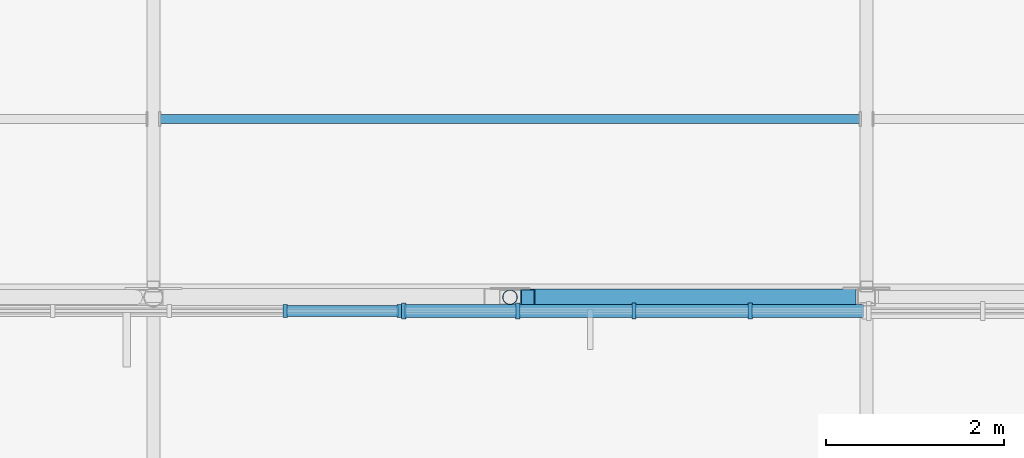
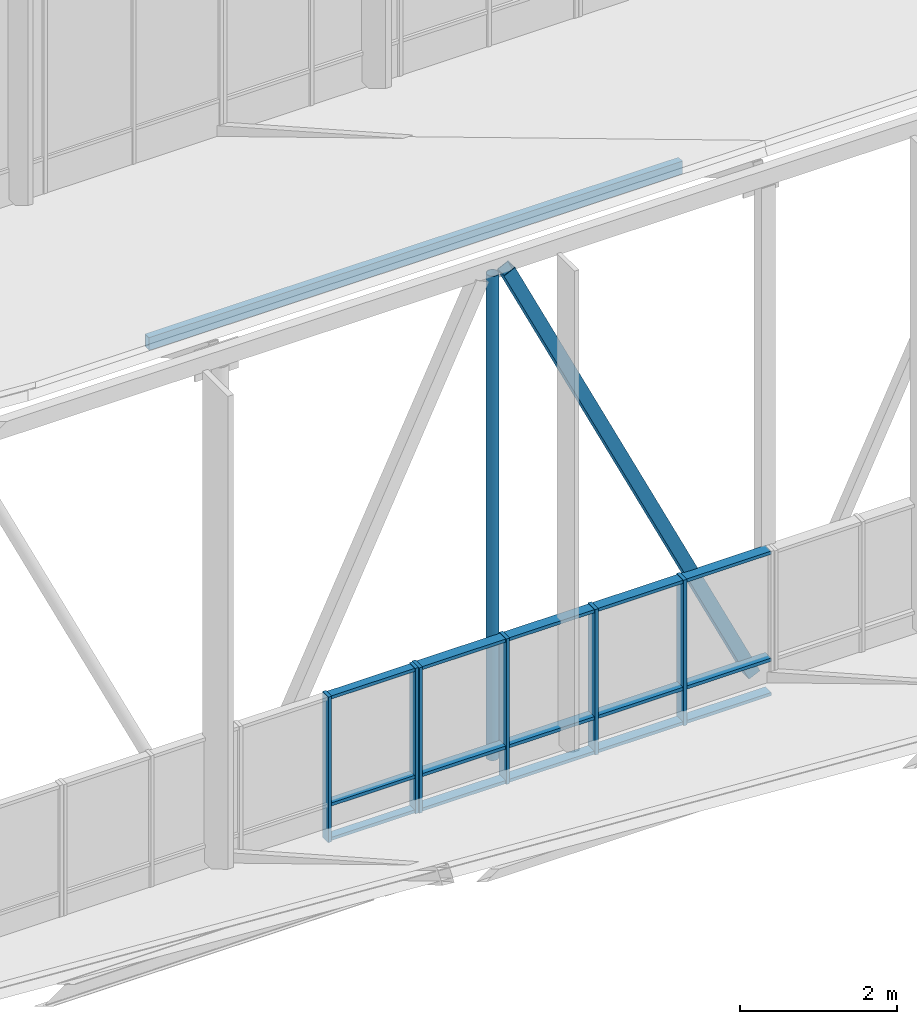
# One storey, part 57 of 155: 24 members, 2 elements without a shape of their own.
"""IFC4 building model written with IfcOpenShell, lengths in metres."""

from ifc_helpers import new_model, si_unit, direction, frame, origin, origin_2d, place, context, subcontext, project, spatial, rectangle, hollow_rectangle, hollow_circle, extrude, material, material_profile, profile_set, type_object, element, aggregate, save


model = new_model("IFC4")

# Units and contexts
model_context = context("Model", 3, precision=1e-05, world=origin(), true_north=direction((0.0, 1.0)))
body_context = subcontext(model_context, "Body", "Model", "MODEL_VIEW")
ifc_project = project(units=[si_unit("LENGTHUNIT", "METRE"), si_unit("AREAUNIT", "SQUARE_METRE"), si_unit("VOLUMEUNIT", "CUBIC_METRE"), si_unit("PLANEANGLEUNIT", "RADIAN"), si_unit("MASSUNIT", "GRAM", prefix="KILO")], contexts=[model_context])

# Site, building, storey
site_placement = place(None, origin())
site = spatial("IfcSite", under=ifc_project, at=site_placement, CompositionType="ELEMENT")
building_placement = place(site_placement, origin())
building = spatial("IfcBuilding", under=site, at=building_placement, Name="Larkveld Mobility Hub", CompositionType="ELEMENT")
storey_placement = place(building_placement, frame((0.0, 0.0, 8.39990234375)))
storey = spatial("IfcBuildingStorey", under=building, at=storey_placement, Name="L02", CompositionType="ELEMENT", Elevation=8.39990234375)

# Curtain wall, members
ifc_material_1 = material(Name="Anodised aluminium 6063-T6", Category="aluminium")
curtain_wall_type_1 = type_object("IfcCurtainWallType", Name="CW-SYS-09", PredefinedType="NOTDEFINED", material=ifc_material_1)
curtain_wall_1_placement = place(storey_placement, origin())
curtain_wall_1 = element("IfcCurtainWall", 1, at=curtain_wall_1_placement, inside=storey, type_object=curtain_wall_type_1, Name="Sawtooth South-Light Clerestory B5 CW-033", PredefinedType="NOTDEFINED")
ifc_material_profile_1 = material_profile(ifc_material_1, rectangle(XDim=0.050048828125, YDim=0.14990234375, at=origin_2d()), Name="ALU MULL 50x150")
ifc_profile_set_1 = profile_set([ifc_material_profile_1], Name="Anodised aluminium 6063-T6")
member_type_1 = type_object("IfcMemberType", Name="CW-MUL-01", PredefinedType="MULLION", material=ifc_profile_set_1)
member_1_placement = place(storey_placement, frame((161.47998046875, 83.844970703125, -0.001953125), z_axis=(0.0, 0.0, 1.0), x_axis=(1.0, 0.0, 0.0)))
member_1 = element("IfcMember", 2, at=member_1_placement, type_object=member_type_1, Name="CW09 mullion 4", PredefinedType="MULLION", context=body_context, shape_type="SweptSolid", body=[
    extrude(rectangle(XDim=0.050048828125, YDim=0.14990234375, at=origin_2d()), origin(), (0.0, 0.0, 1.0), 2.261962890625),
])
member_2_placement = place(storey_placement, frame((162.759033203125, 83.844970703125, -0.001953125), z_axis=(0.0, 0.0, 1.0), x_axis=(1.0, 0.0, 0.0)))
member_2 = element("IfcMember", 3, at=member_2_placement, type_object=member_type_1, Name="CW09 mullion 5", PredefinedType="MULLION", context=body_context, shape_type="SweptSolid", body=[
    extrude(rectangle(XDim=0.050048828125, YDim=0.14990234375, at=origin_2d()), origin(), (0.0, 0.0, 1.0), 2.261962890625),
])

curtain_wall_type_2 = type_object("IfcCurtainWallType", Name="CW-SYS-10", PredefinedType="NOTDEFINED", material=ifc_material_1)
curtain_wall_2_placement = place(storey_placement, origin())
curtain_wall_2 = element("IfcCurtainWall", 4, at=curtain_wall_2_placement, inside=storey, type_object=curtain_wall_type_2, Name="Sawtooth South-Light Clerestory B5 CW-034", PredefinedType="NOTDEFINED")
ifc_material_profile_2 = material_profile(ifc_material_1, rectangle(XDim=0.050048828125, YDim=0.179931640625, at=origin_2d()), Name="ALU MULL 50x180")
ifc_profile_set_2 = profile_set([ifc_material_profile_2], Name="Anodised aluminium 6063-T6")
member_type_2 = type_object("IfcMemberType", Name="CW-MUL-02", PredefinedType="MULLION", material=ifc_profile_set_2)
member_3_placement = place(storey_placement, frame((162.80810546875, 83.844970703125, -0.001953125), z_axis=(0.0, 0.0, 1.0), x_axis=(1.0, 0.0, 0.0)))
member_3 = element("IfcMember", 5, at=member_3_placement, type_object=member_type_2, Name="CW10 mullion 1", PredefinedType="MULLION", context=body_context, shape_type="SweptSolid", body=[
    extrude(rectangle(XDim=0.050048828125, YDim=0.179931640625, at=origin_2d()), origin(), (0.0, 0.0, 1.0), 2.261962890625),
])
member_4_placement = place(storey_placement, frame((164.0869140625, 83.844970703125, -0.001953125), z_axis=(0.0, 0.0, 1.0), x_axis=(1.0, 0.0, 0.0)))
member_4 = element("IfcMember", 6, at=member_4_placement, type_object=member_type_2, Name="CW10 mullion 2", PredefinedType="MULLION", context=body_context, shape_type="SweptSolid", body=[
    extrude(rectangle(XDim=0.050048828125, YDim=0.179931640625, at=origin_2d()), origin(), (0.0, 0.0, 1.0), 2.261962890625),
])
member_5_placement = place(storey_placement, frame((165.39111328125, 83.844970703125, -0.001953125), z_axis=(0.0, 0.0, 1.0), x_axis=(1.0, 0.0, 0.0)))
member_5 = element("IfcMember", 7, at=member_5_placement, type_object=member_type_2, Name="CW10 mullion 3", PredefinedType="MULLION", context=body_context, shape_type="SweptSolid", body=[
    extrude(rectangle(XDim=0.050048828125, YDim=0.179931640625, at=origin_2d()), origin(), (0.0, 0.0, 1.0), 2.261962890625),
])
member_6_placement = place(storey_placement, frame((166.695068359375, 83.844970703125, -0.001953125), z_axis=(0.0, 0.0, 1.0), x_axis=(1.0, 0.0, 0.0)))
member_6 = element("IfcMember", 8, at=member_6_placement, type_object=member_type_2, Name="CW10 mullion 4", PredefinedType="MULLION", context=body_context, shape_type="SweptSolid", body=[
    extrude(rectangle(XDim=0.050048828125, YDim=0.179931640625, at=origin_2d()), origin(), (0.0, 0.0, 1.0), 2.261962890625),
])

# Member
ifc_material_profile_3 = material_profile(ifc_material_1, rectangle(XDim=0.1201171875, YDim=0.050048828125, at=origin_2d()), Name="ALU TRAN 50x120")
ifc_profile_set_3 = profile_set([ifc_material_profile_3], Name="Anodised aluminium 6063-T6")
member_type_3 = type_object("IfcMemberType", Name="CW-TRN-01", PredefinedType="USERDEFINED", material=ifc_profile_set_3)
member_7_placement = place(storey_placement, frame((161.4951171875, 83.844970703125, 0.030029296875), z_axis=(1.0, 0.0, 0.0), x_axis=(0.0, 1.0, 0.0)))
member_7 = element("IfcMember", 9, at=member_7_placement, type_object=member_type_3, Name="CW09 transom 4.1", ObjectType="TRANSOM", PredefinedType="USERDEFINED", context=body_context, shape_type="SweptSolid", body=[
    extrude(rectangle(XDim=0.1201171875, YDim=0.050048828125, at=origin_2d()), origin(), (0.0, 0.0, 1.0), 1.25390625),
])

member_8_placement = place(storey_placement, frame((161.4951171875, 83.844970703125, 0.565185546875), z_axis=(1.0, 0.0, 0.0), x_axis=(0.0, 1.0, 0.0)))
member_8 = element("IfcMember", 10, at=member_8_placement, type_object=member_type_3, Name="CW09 transom 4.2", ObjectType="TRANSOM", PredefinedType="USERDEFINED", context=body_context, shape_type="SweptSolid", body=[
    extrude(rectangle(XDim=0.1201171875, YDim=0.050048828125, at=origin_2d()), origin(), (0.0, 0.0, 1.0), 1.25390625),
])

member_9_placement = place(storey_placement, frame((161.4951171875, 83.844970703125, 2.22802734375), z_axis=(1.0, 0.0, 0.0), x_axis=(0.0, 1.0, 0.0)))
member_9 = element("IfcMember", 11, at=member_9_placement, type_object=member_type_3, Name="CW09 transom 4.3", ObjectType="TRANSOM", PredefinedType="USERDEFINED", context=body_context, shape_type="SweptSolid", body=[
    extrude(rectangle(XDim=0.1201171875, YDim=0.050048828125, at=origin_2d()), origin(), (0.0, 0.0, 1.0), 1.25390625),
])

aggregate(curtain_wall_1, [member_1, member_2, member_7, member_8, member_9])

ifc_material_profile_4 = material_profile(ifc_material_1, rectangle(XDim=0.14990234375, YDim=0.050048828125, at=origin_2d()), Name="ALU TRAN 50x150")
ifc_profile_set_4 = profile_set([ifc_material_profile_4], Name="Anodised aluminium 6063-T6")
member_type_4 = type_object("IfcMemberType", Name="CW-TRN-02", PredefinedType="USERDEFINED", material=ifc_profile_set_4)
member_10_placement = place(storey_placement, frame((162.818115234375, 83.844970703125, 0.030029296875), z_axis=(1.0, 0.0, 0.0), x_axis=(0.0, 1.0, 0.0)))
member_10 = element("IfcMember", 12, at=member_10_placement, type_object=member_type_4, Name="CW10 transom 1.1", ObjectType="TRANSOM", PredefinedType="USERDEFINED", context=body_context, shape_type="SweptSolid", body=[
    extrude(rectangle(XDim=0.14990234375, YDim=0.050048828125, at=origin_2d()), origin(), (0.0, 0.0, 1.0), 1.25390625),
])

member_11_placement = place(storey_placement, frame((162.818115234375, 83.844970703125, 0.565185546875), z_axis=(1.0, 0.0, 0.0), x_axis=(0.0, 1.0, 0.0)))
member_11 = element("IfcMember", 13, at=member_11_placement, type_object=member_type_4, Name="CW10 transom 1.2", ObjectType="TRANSOM", PredefinedType="USERDEFINED", context=body_context, shape_type="SweptSolid", body=[
    extrude(rectangle(XDim=0.14990234375, YDim=0.050048828125, at=origin_2d()), origin(), (0.0, 0.0, 1.0), 1.25390625),
])

member_12_placement = place(storey_placement, frame((162.818115234375, 83.844970703125, 2.22802734375), z_axis=(1.0, 0.0, 0.0), x_axis=(0.0, 1.0, 0.0)))
member_12 = element("IfcMember", 14, at=member_12_placement, type_object=member_type_4, Name="CW10 transom 1.3", ObjectType="TRANSOM", PredefinedType="USERDEFINED", context=body_context, shape_type="SweptSolid", body=[
    extrude(rectangle(XDim=0.14990234375, YDim=0.050048828125, at=origin_2d()), origin(), (0.0, 0.0, 1.0), 1.25390625),
])

member_13_placement = place(storey_placement, frame((164.10205078125, 83.844970703125, 0.030029296875), z_axis=(1.0, 0.0, 0.0), x_axis=(0.0, 1.0, 0.0)))
member_13 = element("IfcMember", 15, at=member_13_placement, type_object=member_type_4, Name="CW10 transom 2.1", ObjectType="TRANSOM", PredefinedType="USERDEFINED", context=body_context, shape_type="SweptSolid", body=[
    extrude(rectangle(XDim=0.14990234375, YDim=0.050048828125, at=origin_2d()), origin(), (0.0, 0.0, 1.0), 1.27392578125),
])

member_14_placement = place(storey_placement, frame((164.10205078125, 83.844970703125, 0.565185546875), z_axis=(1.0, 0.0, 0.0), x_axis=(0.0, 1.0, 0.0)))
member_14 = element("IfcMember", 16, at=member_14_placement, type_object=member_type_4, Name="CW10 transom 2.2", ObjectType="TRANSOM", PredefinedType="USERDEFINED", context=body_context, shape_type="SweptSolid", body=[
    extrude(rectangle(XDim=0.14990234375, YDim=0.050048828125, at=origin_2d()), origin(), (0.0, 0.0, 1.0), 1.27392578125),
])

member_15_placement = place(storey_placement, frame((164.10205078125, 83.844970703125, 2.22802734375), z_axis=(1.0, 0.0, 0.0), x_axis=(0.0, 1.0, 0.0)))
member_15 = element("IfcMember", 17, at=member_15_placement, type_object=member_type_4, Name="CW10 transom 2.3", ObjectType="TRANSOM", PredefinedType="USERDEFINED", context=body_context, shape_type="SweptSolid", body=[
    extrude(rectangle(XDim=0.14990234375, YDim=0.050048828125, at=origin_2d()), origin(), (0.0, 0.0, 1.0), 1.27392578125),
])

member_16_placement = place(storey_placement, frame((165.406005859375, 83.844970703125, 0.030029296875), z_axis=(1.0, 0.0, 0.0), x_axis=(0.0, 1.0, 0.0)))
member_16 = element("IfcMember", 18, at=member_16_placement, type_object=member_type_4, Name="CW10 transom 3.1", ObjectType="TRANSOM", PredefinedType="USERDEFINED", context=body_context, shape_type="SweptSolid", body=[
    extrude(rectangle(XDim=0.14990234375, YDim=0.050048828125, at=origin_2d()), origin(), (0.0, 0.0, 1.0), 1.27392578125),
])

member_17_placement = place(storey_placement, frame((165.406005859375, 83.844970703125, 0.565185546875), z_axis=(1.0, 0.0, 0.0), x_axis=(0.0, 1.0, 0.0)))
member_17 = element("IfcMember", 19, at=member_17_placement, type_object=member_type_4, Name="CW10 transom 3.2", ObjectType="TRANSOM", PredefinedType="USERDEFINED", context=body_context, shape_type="SweptSolid", body=[
    extrude(rectangle(XDim=0.14990234375, YDim=0.050048828125, at=origin_2d()), origin(), (0.0, 0.0, 1.0), 1.27392578125),
])

member_18_placement = place(storey_placement, frame((165.406005859375, 83.844970703125, 2.22802734375), z_axis=(1.0, 0.0, 0.0), x_axis=(0.0, 1.0, 0.0)))
member_18 = element("IfcMember", 20, at=member_18_placement, type_object=member_type_4, Name="CW10 transom 3.3", ObjectType="TRANSOM", PredefinedType="USERDEFINED", context=body_context, shape_type="SweptSolid", body=[
    extrude(rectangle(XDim=0.14990234375, YDim=0.050048828125, at=origin_2d()), origin(), (0.0, 0.0, 1.0), 1.27392578125),
])

member_19_placement = place(storey_placement, frame((166.7099609375, 83.844970703125, 0.030029296875), z_axis=(1.0, 0.0, 0.0), x_axis=(0.0, 1.0, 0.0)))
member_19 = element("IfcMember", 21, at=member_19_placement, type_object=member_type_4, Name="CW10 transom 4.1", ObjectType="TRANSOM", PredefinedType="USERDEFINED", context=body_context, shape_type="SweptSolid", body=[
    extrude(rectangle(XDim=0.14990234375, YDim=0.050048828125, at=origin_2d()), origin(), (0.0, 0.0, 1.0), 1.255126953125),
])

member_20_placement = place(storey_placement, frame((166.7099609375, 83.844970703125, 0.565185546875), z_axis=(1.0, 0.0, 0.0), x_axis=(0.0, 1.0, 0.0)))
member_20 = element("IfcMember", 22, at=member_20_placement, type_object=member_type_4, Name="CW10 transom 4.2", ObjectType="TRANSOM", PredefinedType="USERDEFINED", context=body_context, shape_type="SweptSolid", body=[
    extrude(rectangle(XDim=0.14990234375, YDim=0.050048828125, at=origin_2d()), origin(), (0.0, 0.0, 1.0), 1.255126953125),
])

member_21_placement = place(storey_placement, frame((166.7099609375, 83.844970703125, 2.22802734375), z_axis=(1.0, 0.0, 0.0), x_axis=(0.0, 1.0, 0.0)))
member_21 = element("IfcMember", 23, at=member_21_placement, type_object=member_type_4, Name="CW10 transom 4.3", ObjectType="TRANSOM", PredefinedType="USERDEFINED", context=body_context, shape_type="SweptSolid", body=[
    extrude(rectangle(XDim=0.14990234375, YDim=0.050048828125, at=origin_2d()), origin(), (0.0, 0.0, 1.0), 1.255126953125),
])

aggregate(curtain_wall_2, [member_3, member_4, member_5, member_6, member_10, member_11, member_12, member_13, member_14, member_15, member_16, member_17, member_18, member_19, member_20, member_21])

# Members
ifc_material_2 = material(Name="Steel S355JR", Category="steel")
ifc_material_profile_5 = material_profile(ifc_material_2, hollow_circle(Radius=0.084228515625, WallThickness=0.008056640625, at=origin_2d()), Name="CHS 168.3x8")
ifc_profile_set_5 = profile_set([ifc_material_profile_5], Name="Steel S355JR")
member_type_5 = type_object("IfcMemberType", Name="MB-BR-CHS168", PredefinedType="BRACE", material=ifc_profile_set_5)
member_22_placement = place(storey_placement, frame((164.0, 84.0, 0.300048828125), z_axis=(0.0, 0.0, 1.0), x_axis=(1.0, 0.0, 0.0)))
element("IfcMember", 24, at=member_22_placement, inside=storey, type_object=member_type_5, Name="ROOF TRUSS T5 Vertical Post 3", PredefinedType="BRACE", context=body_context, shape_type="SweptSolid", body=[
    extrude(hollow_circle(Radius=0.084228515625, WallThickness=0.008056640625, at=origin_2d()), origin(), (0.0, 0.0, 1.0), 7.525146484375),
])
ifc_material_profile_6 = material_profile(ifc_material_2, hollow_rectangle(XDim=0.179931640625, YDim=0.179931640625, WallThickness=0.010009765625, at=origin_2d()), Name="SHS 180x180x10")
ifc_profile_set_6 = profile_set([ifc_material_profile_6], Name="Steel S355JR")
member_type_6 = type_object("IfcMemberType", Name="MB-BR-SHS180", PredefinedType="BRACE", material=ifc_profile_set_6)
member_23_placement = place(storey_placement, frame((164.199951171875, 84.0, 7.8251953125), z_axis=(0.43156423058, 0.0, -0.902082210712), x_axis=(0.0, 1.0, 0.0)))
element("IfcMember", 25, at=member_23_placement, inside=storey, type_object=member_type_6, Name="ROOF TRUSS T5 Web Diagonal 4", PredefinedType="BRACE", context=body_context, shape_type="SweptSolid", body=[
    extrude(hollow_rectangle(XDim=0.179931640625, YDim=0.179931640625, WallThickness=0.010009765625, at=origin_2d()), origin(), (0.0, 0.0, 1.0), 8.342041015625),
])
ifc_material_profile_7 = material_profile(ifc_material_2, hollow_rectangle(XDim=0.10009765625, YDim=0.199951171875, WallThickness=0.008056640625, at=origin_2d()), Name="RHS 200x100x8")
ifc_profile_set_7 = profile_set([ifc_material_profile_7], Name="Steel S355JR")
member_type_7 = type_object("IfcMemberType", Name="MB-PR-RHS200", PredefinedType="PURLIN", material=ifc_profile_set_7)
member_24_placement = place(storey_placement, frame((160.080078125, 86.0, 6.906982421875), z_axis=(1.0, 0.0, 0.0), x_axis=(0.0, 1.0, 0.0)))
element("IfcMember", 26, at=member_24_placement, inside=storey, type_object=member_type_7, Name="Sawtooth Roof Purlin B5-1.2", PredefinedType="PURLIN", context=body_context, shape_type="SweptSolid", body=[
    extrude(hollow_rectangle(XDim=0.10009765625, YDim=0.199951171875, WallThickness=0.008056640625, at=origin_2d()), origin(), (0.0, 0.0, 1.0), 7.83984375),
])

save(model, "model.ifc")
